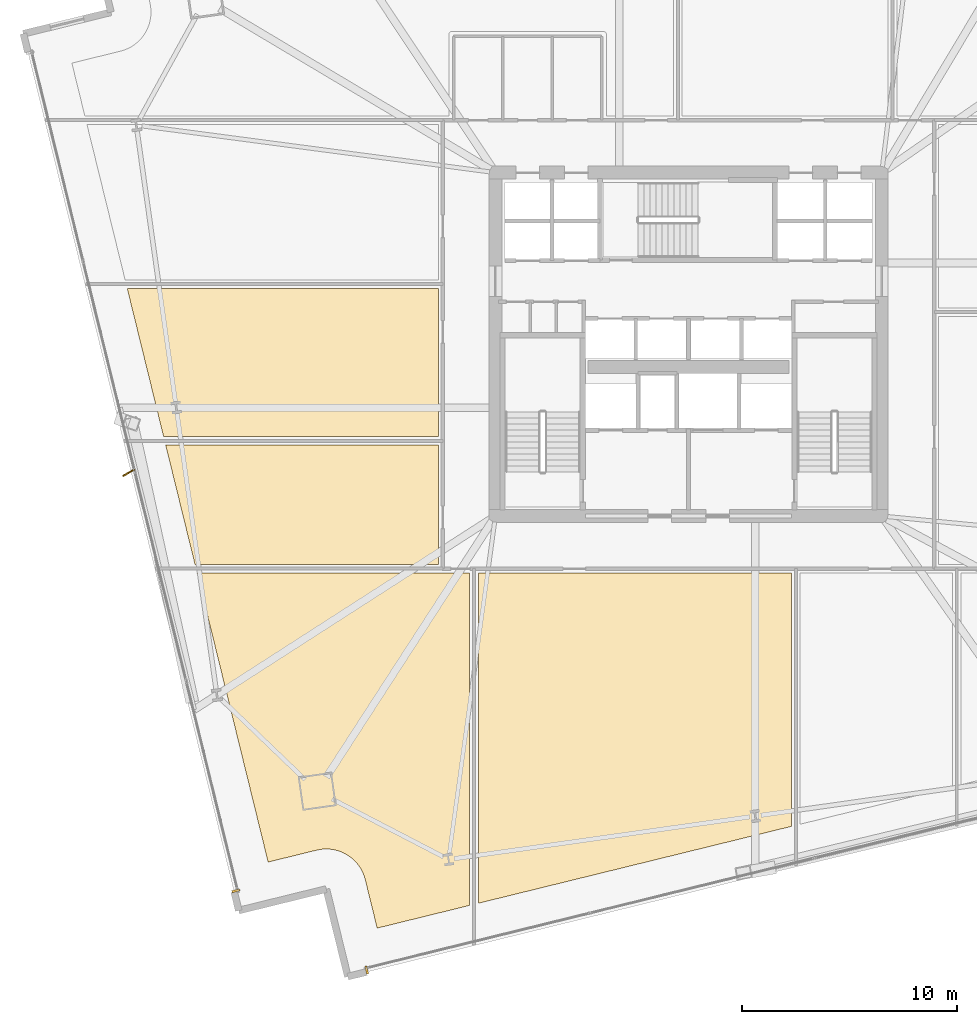
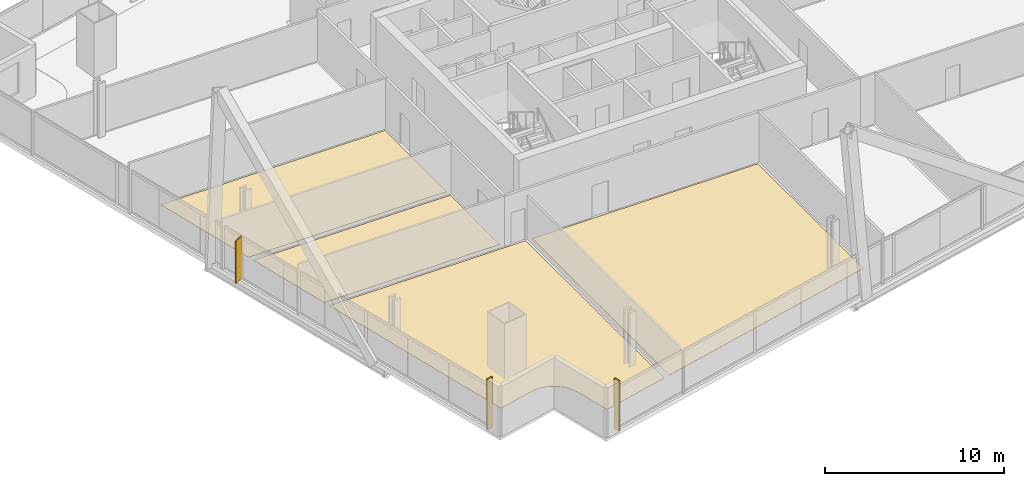
# One storey, part 28 of 32: 6 coverings, 1 shading device.
"""IFC4 building model written with IfcOpenShell, lengths in metres."""

import ifcopenshell
import ifcopenshell.guid

model = None  # the IFC model being written
_history = None  # IfcOwnerHistory: only IFC2X3 demands one
_inside = {}  # id of a spatial element -> (the spatial element, [elements in it])
_under = {}  # id of a project, library or spatial element -> (it, [spatial elements below it])
_declared = {}  # id of a project -> (the project, [libraries it declares])
_typed = {}  # id of a type object -> (the type object, [elements of that type])
_made_of = {}  # id of a material, layer set ... -> (it, [elements and type objects made of it])


def new_model(schema):
    """Start an empty IFC model of exactly this schema.

    Asked for "IFC4X3", IfcOpenShell would pick the latest addendum, in which some entities
    have other attributes; the version numbers below select the first issue.
    IFC2X3 requires an IfcOwnerHistory on every rooted entity: one is made here for all.
    """
    global model, _history
    if schema == "IFC4X3":
        model = ifcopenshell.file(schema_version=(4, 3, 0, 0))
    else:
        model = ifcopenshell.file(schema=schema)
    _inside.clear()
    _under.clear()
    _declared.clear()
    _typed.clear()
    _made_of.clear()
    _history = None
    if model.schema == "IFC2X3":
        org = make("IfcOrganization", Name="unknown")
        user = make(
            "IfcPersonAndOrganization",
            ThePerson=make("IfcPerson", FamilyName="unknown"),
            TheOrganization=org,
        )
        app = make(
            "IfcApplication",
            ApplicationDeveloper=org,
            Version="unknown",
            ApplicationFullName="unknown",
            ApplicationIdentifier="unknown",
        )
        _history = make(
            "IfcOwnerHistory",
            OwningUser=user,
            OwningApplication=app,
            ChangeAction="ADDED",
            CreationDate=0,
        )
    return model


def make(cls, **values):
    """One entity of the class cls with the attributes given. An attribute that is None is left unset."""
    return model.create_entity(
        cls, **{name: value for name, value in values.items() if value is not None}
    )


def rooted(cls, **values):
    """An entity with a GlobalId (a new one), such as an element, a storey or a relation."""
    return make(cls, GlobalId=ifcopenshell.guid.new(), OwnerHistory=_history, **values)


def si_unit(unit_type, name, prefix=None):
    """IfcSIUnit, for example si_unit("LENGTHUNIT", "METRE", prefix="MILLI")."""
    return make("IfcSIUnit", UnitType=unit_type, Prefix=prefix, Name=name)


def assignment(units):
    """IfcUnitAssignment: the units of a project."""
    return None if units is None else make("IfcUnitAssignment", Units=units)


def point(xyz):
    """IfcCartesianPoint."""
    return None if xyz is None else make("IfcCartesianPoint", Coordinates=xyz)


def direction(xyz):
    """IfcDirection."""
    return None if xyz is None else make("IfcDirection", DirectionRatios=xyz)


def frame(location, z_axis=None, x_axis=None):
    """IfcAxis2Placement3D, a coordinate frame: its origin and axes. An axis left out is left unset."""
    return make(
        "IfcAxis2Placement3D",
        Location=point(location),
        Axis=direction(z_axis),
        RefDirection=direction(x_axis),
    )


def frame_2d(location, x_axis=None):
    """IfcAxis2Placement2D, a coordinate frame in the plane: its origin and x axis."""
    return make(
        "IfcAxis2Placement2D", Location=point(location), RefDirection=direction(x_axis)
    )


def origin():
    """The frame at (0, 0, 0) with its axes left unset."""
    return frame((0.0, 0.0, 0.0))


def origin_2d():
    """The frame at (0, 0) in the plane with its x axis left unset."""
    return frame_2d((0.0, 0.0))


def place(relative_to, where):
    """IfcLocalPlacement: puts the frame where relative to a parent placement (None: the world)."""
    return make(
        "IfcLocalPlacement", PlacementRelTo=relative_to, RelativePlacement=where
    )


def context(
    kind, dimensions, precision=None, world=None, true_north=None, identifier=None
):
    """IfcGeometricRepresentationContext, for example the 3D "Model" context."""
    return make(
        "IfcGeometricRepresentationContext",
        ContextIdentifier=identifier,
        ContextType=kind,
        CoordinateSpaceDimension=dimensions,
        Precision=precision,
        WorldCoordinateSystem=world,
        TrueNorth=true_north,
    )


def subcontext(parent, identifier, kind, view, scale=None):
    """IfcGeometricRepresentationSubContext, for example "Body" below "Model"."""
    return make(
        "IfcGeometricRepresentationSubContext",
        ContextIdentifier=identifier,
        ContextType=kind,
        ParentContext=parent,
        TargetScale=scale,
        TargetView=view,
    )


def project(units=None, contexts=None):
    """IfcProject with its units and contexts."""
    return rooted(
        "IfcProject",
        Name="project",
        RepresentationContexts=contexts,
        UnitsInContext=assignment(units),
    )


def spatial(cls, under=None, at=None, **own):
    """A site, building, storey or space (cls), placed at a placement, below another one or the project."""
    s = rooted(cls, ObjectPlacement=at, **own)
    if under is not None:
        _under.setdefault(under.id(), (under, []))[1].append(s)
    return s


def polyline(points):
    """IfcPolyline through the points."""
    return make("IfcPolyline", Points=[point(p) for p in points])


def profile(cls, at=None, kind="AREA", **sizes):
    """A parametric profile (cls). Its sizes go by their IFC names, for example OverallWidth=200.0."""
    return make(cls, ProfileType=kind, Position=at, **sizes)


def rectangle(**sizes):
    """IfcRectangleProfileDef."""
    return profile("IfcRectangleProfileDef", **sizes)


def outline(outer, holes=None, kind="AREA"):
    """IfcArbitraryClosedProfileDef: a profile drawn as a closed curve; with holes, ...WithVoids."""
    if holes is None:
        return make("IfcArbitraryClosedProfileDef", ProfileType=kind, OuterCurve=outer)
    return make(
        "IfcArbitraryProfileDefWithVoids",
        ProfileType=kind,
        OuterCurve=outer,
        InnerCurves=holes,
    )


def extrude(swept, where, along, depth):
    """IfcExtrudedAreaSolid: the profile swept, set in the frame where, extruded along a direction by depth."""
    return make(
        "IfcExtrudedAreaSolid",
        SweptArea=swept,
        Position=where,
        ExtrudedDirection=direction(along),
        Depth=depth,
    )


def shape(context_of_items, identifier, shape_type, items):
    """IfcShapeRepresentation: the items that make up one representation, for example the "Body"."""
    return make(
        "IfcShapeRepresentation",
        ContextOfItems=context_of_items,
        RepresentationIdentifier=identifier,
        RepresentationType=shape_type,
        Items=items,
    )


def source(mapping_origin, context_of_items, identifier, shape_type, items):
    """IfcRepresentationMap: a shape defined once, which mapped items show again and again."""
    return make(
        "IfcRepresentationMap",
        MappingOrigin=mapping_origin,
        MappedRepresentation=shape(context_of_items, identifier, shape_type, items),
    )


def transform(
    local_origin,
    x_axis=None,
    y_axis=None,
    z_axis=None,
    scale=None,
    scale2=None,
    scale3=None,
    uniform=True,
):
    """IfcCartesianTransformationOperator3D, or its non-uniform kind. x_axis, y_axis, z_axis: its Axis1, 2, 3."""
    if uniform:
        return make(
            "IfcCartesianTransformationOperator3D",
            Axis1=direction(x_axis),
            Axis2=direction(y_axis),
            LocalOrigin=point(local_origin),
            Scale=scale,
            Axis3=direction(z_axis),
        )
    return make(
        "IfcCartesianTransformationOperator3DnonUniform",
        Axis1=direction(x_axis),
        Axis2=direction(y_axis),
        LocalOrigin=point(local_origin),
        Scale=scale,
        Axis3=direction(z_axis),
        Scale2=scale2,
        Scale3=scale3,
    )


def mapped(mapping_source, mapping_target):
    """IfcMappedItem: shows the shape of a source again, moved by a transform."""
    return make(
        "IfcMappedItem", MappingSource=mapping_source, MappingTarget=mapping_target
    )


def material(Name=None, Category=None):
    """IfcMaterial."""
    return make("IfcMaterial", Name=Name, Category=Category)


def layer(
    of_material, thickness, ventilated=None, Name=None, Category=None, Priority=None
):
    """IfcMaterialLayer: one layer of a wall or slab, of a material (None: an air gap)."""
    return make(
        "IfcMaterialLayer",
        Material=of_material,
        LayerThickness=thickness,
        IsVentilated=ventilated,
        Name=Name,
        Category=Category,
        Priority=Priority,
    )


def layer_set(layers, Name=None):
    """IfcMaterialLayerSet."""
    return make("IfcMaterialLayerSet", MaterialLayers=layers, LayerSetName=Name)


def made_of(thing, what):
    """Note that an element or type object is made of a material, layer set ...; save() writes the relation."""
    if what is not None:
        _made_of.setdefault(what.id(), (what, []))[1].append(thing)
    return thing


def type_object(cls, material=None, **own):
    """A type object (cls), such as IfcWallType, which elements share."""
    return made_of(rooted(cls, **own), material)


def element(
    cls,
    number,
    at=None,
    inside=None,
    cuts=None,
    type_object=None,
    material=None,
    context=None,
    identifier="Body",
    shape_type=None,
    held_by="IfcProductDefinitionShape",
    body=None,
    shapes=None,
    **own,
):
    """One element of the class cls, such as IfcWall. Its Tag is "e" and its number.

    at: its placement. inside: the storey or other place that contains it. cuts: it is an
    opening in that element (IfcRelVoidsElement). A single representation is given by context,
    identifier, shape_type and body (its items); several are given by shapes. held_by: the class
    of the entity that holds the representations. save() writes the other relations.
    """
    e = rooted(cls, Tag="e%d" % number, ObjectPlacement=at, **own)
    if body is not None:
        shapes = [shape(context, identifier, shape_type, body)]
    if shapes is not None:
        e.Representation = make(held_by, Representations=shapes)
    if inside is not None:
        _inside.setdefault(inside.id(), (inside, []))[1].append(e)
    if cuts is not None:
        rooted(
            "IfcRelVoidsElement", RelatingBuildingElement=cuts, RelatedOpeningElement=e
        )
    if type_object is not None:
        _typed.setdefault(type_object.id(), (type_object, []))[1].append(e)
    return made_of(e, material)


def aggregate(whole, parts):
    """IfcRelAggregates: a whole, such as a stair, and the parts it consists of."""
    return rooted("IfcRelAggregates", RelatingObject=whole, RelatedObjects=parts)


def save(model, path):
    """Write the relations noted so far, then the file.

    IfcRelAggregates (storeys below a building ...), IfcRelContainedInSpatialStructure (elements
    in a storey), IfcRelDefinesByType, IfcRelAssociatesMaterial and IfcRelDeclares: one each for
    every whole, place, type object, material and project.
    """
    for whole, parts in _under.values():
        aggregate(whole, parts)
    for where, things in _inside.values():
        rooted(
            "IfcRelContainedInSpatialStructure",
            RelatedElements=things,
            RelatingStructure=where,
        )
    for kind, things in _typed.values():
        rooted("IfcRelDefinesByType", RelatedObjects=things, RelatingType=kind)
    for what, things in _made_of.values():
        rooted("IfcRelAssociatesMaterial", RelatedObjects=things, RelatingMaterial=what)
    for by, libraries in _declared.values():
        rooted("IfcRelDeclares", RelatingContext=by, RelatedDefinitions=libraries)
    model.write(path)


model = new_model("IFC4")

# Units and contexts
model_context = context("Model", 3, precision=1e-05, world=origin(), true_north=direction((0.0, 1.0)))
body_context = subcontext(model_context, "Body", "Model", "MODEL_VIEW")
ifc_project = project(units=[si_unit("LENGTHUNIT", "METRE"), si_unit("AREAUNIT", "SQUARE_METRE"), si_unit("VOLUMEUNIT", "CUBIC_METRE"), si_unit("PLANEANGLEUNIT", "RADIAN"), si_unit("MASSUNIT", "GRAM", prefix="KILO")], contexts=[model_context])

# Site, building, storey
site_placement = place(None, origin())
site = spatial("IfcSite", under=ifc_project, at=site_placement, CompositionType="ELEMENT")
building_placement = place(site_placement, origin())
building = spatial("IfcBuilding", under=site, at=building_placement, Name="Haldenkirk Collegiate Tower", CompositionType="ELEMENT")
storey_placement = place(building_placement, frame((0.0, 0.0, 73.949951171875)))
storey = spatial("IfcBuildingStorey", under=building, at=storey_placement, Name="L17", CompositionType="ELEMENT", Elevation=73.949951171875)

# Coverings
ifc_material_1 = material(Name="Polished collegiate terrazzo", Category="concrete")
ifc_layer_1 = layer(ifc_material_1, 0.02490234375)
ifc_layer_set_1 = layer_set([ifc_layer_1], Name="Polished collegiate terrazzo")
covering_type_1 = type_object("IfcCoveringType", Name="COV-FLOOR-TERRAZZO", PredefinedType="FLOORING", material=ifc_layer_set_1)
covering_1_placement = place(storey_placement, origin())
element("IfcCovering", 1, at=covering_1_placement, inside=storey, type_object=covering_type_1, Name="L17 academic room finish 02", PredefinedType="FLOORING", context=body_context, shape_type="SweptSolid", body=[
    extrude(outline(polyline([(26.199951171875, -0.04443359375), (26.199951171875, 15.35009765625), (40.800048828125, 15.35009765625), (40.800048828125, 3.541748046875), (26.199951171875, -0.04443359375)])), origin(), (0.0, 0.0, 1.0), 0.025146484375),
])
covering_2_placement = place(storey_placement, origin())
element("IfcCovering", 2, at=covering_2_placement, inside=storey, type_object=covering_type_1, Name="L17 academic room finish 08", PredefinedType="FLOORING", context=body_context, shape_type="SweptSolid", body=[
    extrude(outline(polyline([(11.6376953125, 21.300048828125), (24.35009765625, 21.300048828125), (24.35009765625, 15.75), (13.001220703125, 15.75), (11.6376953125, 21.300048828125)])), origin(), (0.0, 0.0, 1.0), 0.025146484375),
])
ifc_material_2 = material(Name="Engineered collegiate oak acoustic flooring", Category="wood")
ifc_layer_2 = layer(ifc_material_2, 0.02197265625)
ifc_layer_set_2 = layer_set([ifc_layer_2], Name="Engineered collegiate oak acoustic flooring")
covering_type_2 = type_object("IfcCoveringType", Name="COV-FLOOR-TIMBER", PredefinedType="FLOORING", material=ifc_layer_set_2)
covering_3_placement = place(storey_placement, origin())
element("IfcCovering", 3, at=covering_3_placement, inside=storey, type_object=covering_type_2, Name="L17 academic room finish 01", PredefinedType="FLOORING", context=body_context, shape_type="SweptSolid", body=[
    extrude(outline(polyline([(20.62841796875, 1.717529296875), (20.621337890625, 1.72705078125), (20.512939453125, 1.8603515625), (20.505126953125, 1.868896484375), (20.38427734375, 1.990966796875), (20.37548828125, 1.9990234375), (20.2431640625, 2.1083984375), (20.23388671875, 2.115478515625), (20.09130859375, 2.211669921875), (20.081298828125, 2.2177734375), (19.930419921875, 2.29931640625), (19.919921875, 2.304443359375), (19.761474609375, 2.370849609375), (19.750244140625, 2.375), (19.586181640625, 2.425537109375), (19.57470703125, 2.428466796875), (19.406494140625, 2.462890625), (19.394775390625, 2.464599609375), (19.22412109375, 2.482177734375), (19.21240234375, 2.48291015625), (19.04052734375, 2.483642578125), (19.02880859375, 2.483154296875), (18.857666015625, 2.467041015625), (18.84619140625, 2.46533203125), (18.677490234375, 2.4326171875), (18.671630859375, 2.431396484375), (16.408935546875, 1.87548828125), (13.099365234375, 15.35009765625), (25.800048828125, 15.35009765625), (25.800048828125, -0.142578125), (21.489501953125, -1.201416015625), (20.933837890625, 1.061279296875), (20.932373046875, 1.06689453125), (20.88330078125, 1.231689453125), (20.87939453125, 1.24267578125), (20.814208984375, 1.401611328125), (20.809326171875, 1.412353515625), (20.72900390625, 1.564208984375), (20.722900390625, 1.57421875), (20.62841796875, 1.717529296875)])), origin(), (0.0, 0.0, 1.0), 0.02197265625),
])
covering_4_placement = place(storey_placement, origin())
element("IfcCovering", 4, at=covering_4_placement, inside=storey, type_object=covering_type_2, Name="L17 academic room finish 09", PredefinedType="FLOORING", context=body_context, shape_type="SweptSolid", body=[
    extrude(outline(polyline([(9.8447265625, 28.60009765625), (24.35009765625, 28.60009765625), (24.35009765625, 21.699951171875), (11.53955078125, 21.699951171875), (9.8447265625, 28.60009765625)])), origin(), (0.0, 0.0, 1.0), 0.02197265625),
])
ifc_material_3 = material(Name="Anodised architectural bronze aluminium", Category="aluminium")
ifc_layer_3 = layer(ifc_material_3, 0.06005859375)
ifc_layer_set_3 = layer_set([ifc_layer_3], Name="Anodised architectural bronze aluminium")
covering_type_3 = type_object("IfcCoveringType", Name="COV-CLAD-BRONZE-60", PredefinedType="CLADDING", material=ifc_layer_set_3)
shared_shape_1 = source(origin(), body_context, "Body", "SweptSolid", [
    extrude(rectangle(XDim=0.10009765625, YDim=0.3798828125, at=origin_2d()), origin(), (0.0, 0.0, 1.0), 3.43994140625),
])
for number, where, z_axis, x_axis, name in (
    (5, (21.001220703125, -3.154296875, 0.0), (0.0, 0.0, 1.0), (-0.97113427991, -0.238533457579, 0.0), "L17 recessed curtain-wall bronze jamb closure SJR"),
    (6, (14.904541015625, 0.5380859375, 0.0), (0.0, 0.0, 1.0), (-0.238533457579, 0.97113427991, 0.0), "L17 recessed curtain-wall bronze jamb closure WJL"),
):
    element("IfcCovering", number, at=place(storey_placement, frame(where, z_axis=z_axis, x_axis=x_axis)), inside=storey, type_object=covering_type_3, Name=name, PredefinedType="CLADDING", context=body_context, shape_type="MappedRepresentation", body=[
        mapped(shared_shape_1, transform((0.0, 0.0, 0.0), x_axis=(1.0, 0.0, 0.0), y_axis=(0.0, 1.0, 0.0), z_axis=(0.0, 0.0, 1.0), scale=1.0)),
    ])

# Shading device
ifc_layer_4 = layer(ifc_material_3, 0.06494140625)
ifc_layer_set_4 = layer_set([ifc_layer_4], Name="Anodised architectural bronze aluminium")
shading_device_type = type_object("IfcShadingDeviceType", Name="SHD-FIN-BRONZE-620", PredefinedType="USERDEFINED", material=ifc_layer_set_4)
shared_shape_2 = source(origin(), body_context, "Body", "SweptSolid", [
    extrude(rectangle(XDim=0.6201171875, YDim=0.06494140625, at=origin_2d()), origin(), (0.0, 0.0, 1.0), 2.89111328125),
])
shading_device_placement = place(storey_placement, frame((9.9091796875, 20.01611328125, 0.0), z_axis=(0.0, 0.0, 1.0), x_axis=(-0.867765453369, -0.496973961028, 0.0)))
element("IfcShadingDevice", 7, at=shading_device_placement, inside=storey, type_object=shading_device_type, Name="L17 folded bronze solar fin 1", ObjectType="FIN", PredefinedType="USERDEFINED", context=body_context, shape_type="MappedRepresentation", body=[
    mapped(shared_shape_2, transform((0.0, 0.0, 0.0), x_axis=(1.0, 0.0, 0.0), y_axis=(0.0, 1.0, 0.0), z_axis=(0.0, 0.0, 1.0), scale=1.0)),
])

save(model, "model.ifc")
